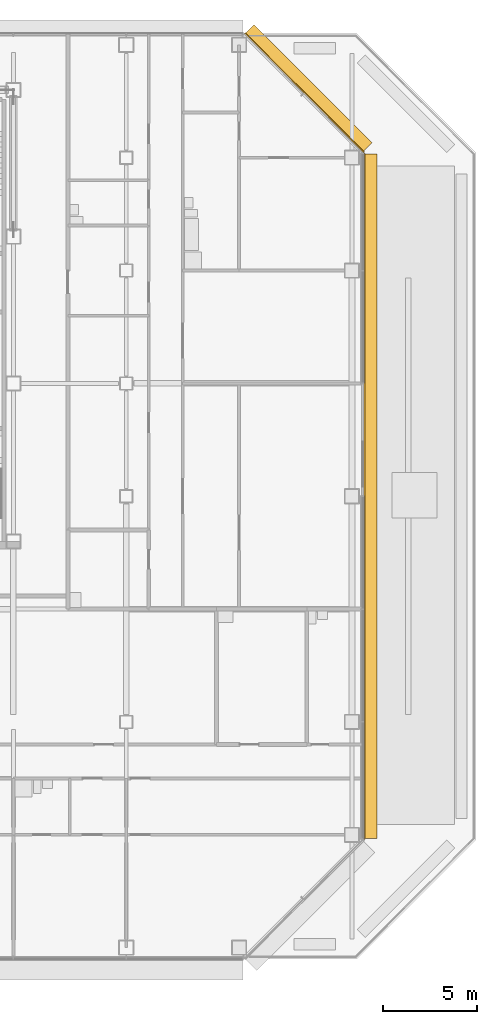
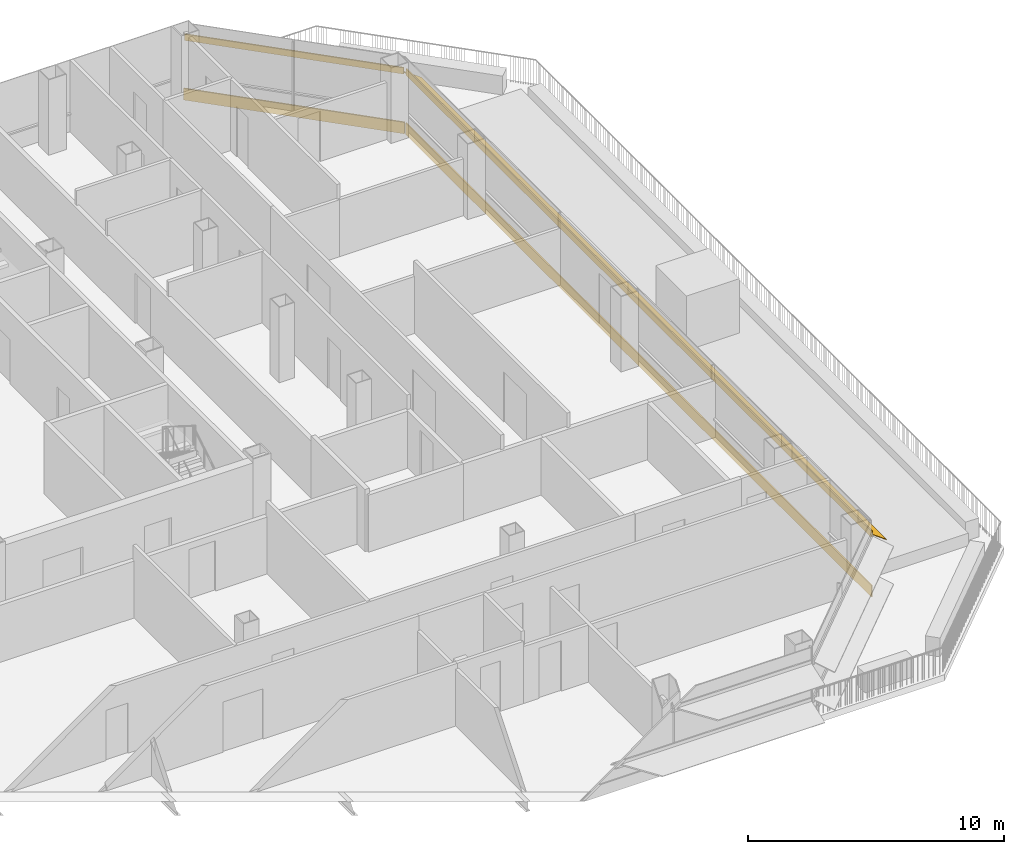
# One storey, part 26 of 28: 2 coverings, 2 shading devices.
"""IFC4 building model written with IfcOpenShell, lengths in metres."""

from ifc_helpers import new_model, si_unit, direction, frame, origin, place, context, subcontext, project, spatial, polyline, outline, extrude, material, layer, layer_set, type_object, element, save


model = new_model("IFC4")

# Units and contexts
model_context = context("Model", 3, precision=1e-05, world=origin(), true_north=direction((0.0, 1.0)))
body_context = subcontext(model_context, "Body", "Model", "MODEL_VIEW")
ifc_project = project(units=[si_unit("LENGTHUNIT", "METRE"), si_unit("AREAUNIT", "SQUARE_METRE"), si_unit("VOLUMEUNIT", "CUBIC_METRE"), si_unit("PLANEANGLEUNIT", "RADIAN"), si_unit("MASSUNIT", "GRAM", prefix="KILO")], contexts=[model_context])

# Site, building, storey
site_placement = place(None, origin())
site = spatial("IfcSite", under=ifc_project, at=site_placement, CompositionType="ELEMENT")
building_placement = place(site_placement, origin())
building = spatial("IfcBuilding", under=site, at=building_placement, Name="Sorahane Residences", CompositionType="ELEMENT")
storey_placement = place(building_placement, frame((0.0, 0.0, 96.199951171875)))
storey = spatial("IfcBuildingStorey", under=building, at=storey_placement, Name="L20", CompositionType="ELEMENT", Elevation=96.199951171875)

# Shading devices
ifc_material_1 = material(Name="Terracotta anodised aluminium", Category="masonry")
shading_device_type_1 = type_object("IfcShadingDeviceType", Name="Louvre sunshade blade E terracotta aluminium 700", PredefinedType="JALOUSIE", material=ifc_material_1)
shading_device_1_placement = place(storey_placement, frame((60.60009765625, 5.801513671875, 2.699951171875), z_axis=(0.0, 1.0, 0.0), x_axis=(-1.0, 0.0, 0.0)))
element("IfcShadingDevice", 1, at=shading_device_1_placement, inside=storey, type_object=shading_device_type_1, Name="Louvre sunshade blade bank E L20 E1", PredefinedType="JALOUSIE", context=body_context, shape_type="SweptSolid", body=[
    extrude(outline(polyline([(-0.719970703125, -0.49365234375), (-0.719970703125, -0.523681640625), (-0.080078125, -0.05859375), (-0.080078125, -0.14990234375), (-0.02001953125, -0.14990234375), (-0.02001953125, -0.014892578125), (-0.02001953125, 0.014892578125), (-0.02001953125, 0.14990234375), (-0.080078125, 0.14990234375), (-0.080078125, -0.028564453125), (-0.719970703125, -0.49365234375)])), origin(), (0.0, 0.0, 1.0), 36.39697265625),
])
ifc_material_2 = material(Name="Terracotta anodised aluminium", Category="masonry")
shading_device_type_2 = type_object("IfcShadingDeviceType", Name="Louvre sunshade blade NE terracotta aluminium 700", PredefinedType="JALOUSIE", material=ifc_material_2)
shading_device_2_placement = place(storey_placement, frame((60.564697265625, 42.283935546875, 2.699951171875), z_axis=(-0.707106781187, 0.707106781187, 0.0), x_axis=(-0.707106781187, -0.707106781187, 0.0)))
element("IfcShadingDevice", 2, at=shading_device_2_placement, inside=storey, type_object=shading_device_type_2, Name="Louvre sunshade blade bank NE L20 NE1", PredefinedType="JALOUSIE", context=body_context, shape_type="SweptSolid", body=[
    extrude(outline(polyline([(-0.719970703125, -0.572509765625), (-0.719970703125, -0.602294921875), (-0.080078125, -0.065185546875), (-0.080078125, -0.14990234375), (-0.02001953125, -0.14990234375), (-0.02001953125, -0.014892578125), (-0.02001953125, 0.014892578125), (-0.02001953125, 0.14990234375), (-0.080078125, 0.14990234375), (-0.080078125, -0.035400390625), (-0.719970703125, -0.572509765625)])), origin(), (0.0, 0.0, 1.0), 8.88232421875),
])

# Coverings
ifc_material_3 = material(Name="Pale precast concrete cladding", Category="concrete")
ifc_layer = layer(ifc_material_3, 0.06005859375)
ifc_layer_set = layer_set([ifc_layer], Name="Slab edge fascia band pale precast concrete 550")
covering_type = type_object("IfcCoveringType", Name="Slab edge fascia band pale precast concrete 550", PredefinedType="CLADDING", material=ifc_layer_set)
covering_1_placement = place(storey_placement, frame((60.60009765625, 5.771484375, -0.02490234375), z_axis=(0.0, 1.0, 0.0), x_axis=(-1.0, 0.0, 0.0)))
element("IfcCovering", 3, at=covering_1_placement, inside=storey, type_object=covering_type, Name="Slab edge fascia pale L20 E1", PredefinedType="CLADDING", context=body_context, shape_type="SweptSolid", body=[
    extrude(outline(polyline([(-0.02001953125, 0.27490234375), (-0.080078125, 0.27490234375), (-0.080078125, -0.27490234375), (-0.02001953125, -0.27490234375), (-0.02001953125, 0.27490234375)])), origin(), (0.0, 0.0, 1.0), 36.45703125),
])
covering_2_placement = place(storey_placement, frame((60.5859375, 42.2626953125, -0.02490234375), z_axis=(-0.707106781187, 0.707106781187, 0.0), x_axis=(-0.707106781187, -0.707106781187, 0.0)))
element("IfcCovering", 4, at=covering_2_placement, inside=storey, type_object=covering_type, Name="Slab edge fascia pale L20 NE1", PredefinedType="CLADDING", context=body_context, shape_type="SweptSolid", body=[
    extrude(outline(polyline([(-0.02001953125, 0.27490234375), (-0.080078125, 0.27490234375), (-0.080078125, -0.27490234375), (-0.02001953125, -0.27490234375), (-0.02001953125, 0.27490234375)])), origin(), (0.0, 0.0, 1.0), 8.9423828125),
])

save(model, "model.ifc")
